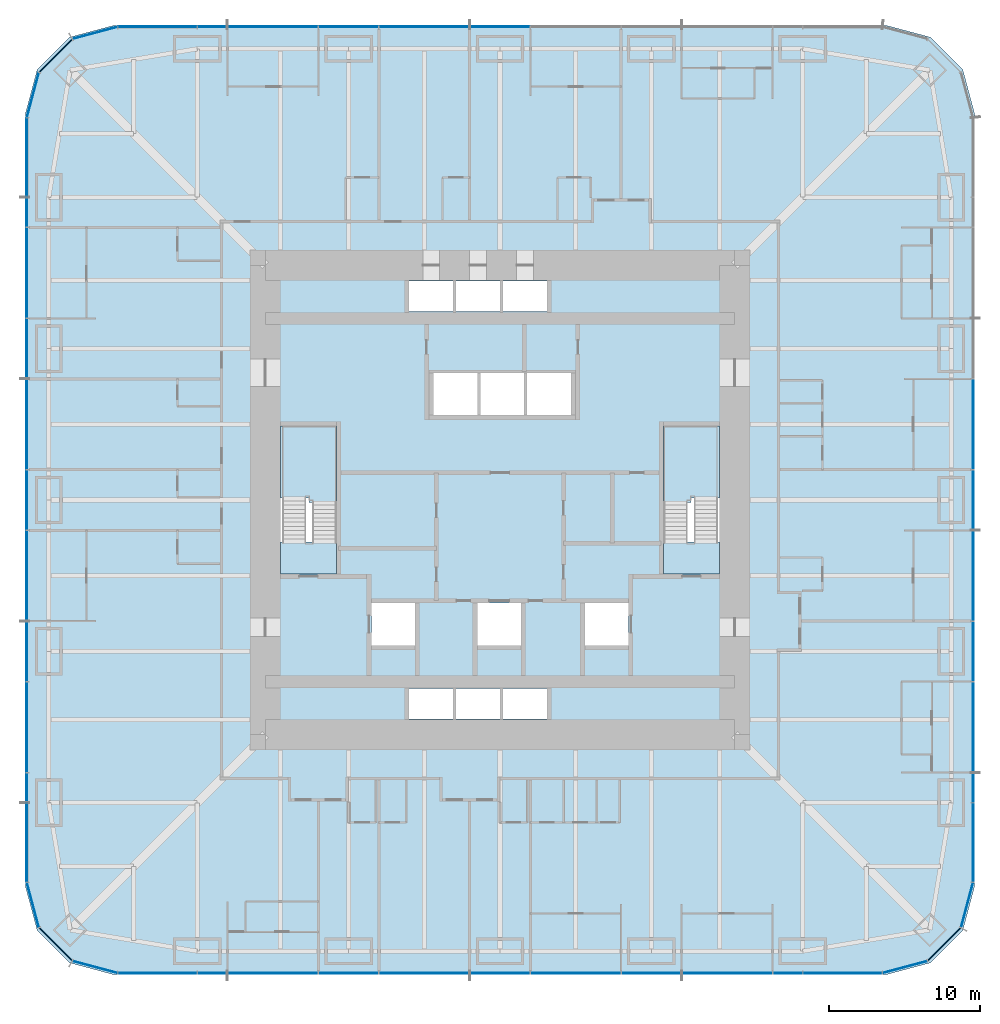
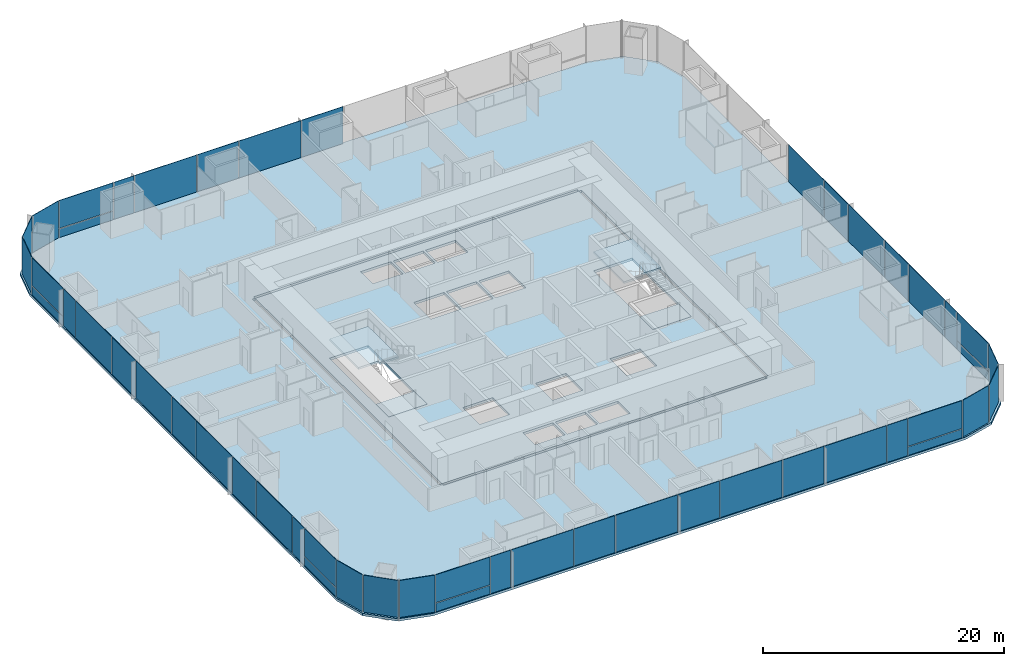
# One storey, part 10 of 16: 50 plates, 6 slabs, 9 elements without a shape of their own.
"""IFC4 building model written with IfcOpenShell, lengths in metres."""

from ifc_helpers import new_model, si_unit, direction, frame, origin, origin_2d, place, context, subcontext, project, spatial, polyline, rectangle, outline, extrude, material, layer, layer_set, type_object, element, aggregate, save


model = new_model("IFC4")

# Units and contexts
model_context = context("Model", 3, precision=1e-05, world=origin(), true_north=direction((0.0, 1.0)))
body_context = subcontext(model_context, "Body", "Model", "MODEL_VIEW")
ifc_project = project(units=[si_unit("LENGTHUNIT", "METRE"), si_unit("AREAUNIT", "SQUARE_METRE"), si_unit("VOLUMEUNIT", "CUBIC_METRE"), si_unit("PLANEANGLEUNIT", "RADIAN"), si_unit("MASSUNIT", "GRAM", prefix="KILO")], contexts=[model_context])

# Site, building, storey
site_placement = place(None, origin())
site = spatial("IfcSite", under=ifc_project, at=site_placement, CompositionType="ELEMENT")
building_placement = place(site_placement, origin())
building = spatial("IfcBuilding", under=site, at=building_placement, Name="Khuree Lantern Residences", CompositionType="ELEMENT")
storey_placement = place(building_placement, frame((0.0, 0.0, 66.0)))
storey = spatial("IfcBuildingStorey", under=building, at=storey_placement, Name="L16", CompositionType="ELEMENT", Elevation=66.0)

# Slab
ifc_material_1 = material(Name="Concrete C35/45", Category="concrete")
ifc_layer_1 = layer(ifc_material_1, 0.25)
ifc_layer_set_1 = layer_set([ifc_layer_1], Name="CFL250 CORE FLOOR SLAB 250")
slab_type_1 = type_object("IfcSlabType", Name="CFL250 CORE FLOOR SLAB 250", PredefinedType="FLOOR", material=ifc_layer_set_1)
slab_1_placement = place(storey_placement, frame((0.0, 0.0, -0.25)))
element("IfcSlab", 1, at=slab_1_placement, inside=storey, type_object=slab_type_1, Name="Core floor L16", PredefinedType="FLOOR", context=body_context, shape_type="SweptSolid", body=[
    extrude(outline(polyline([(-15.5, -15.5), (-15.5, 15.5), (15.5, 15.5), (15.5, -15.5), (-15.5, -15.5)]), holes=[polyline([(14.5, 4.89990234375), (10.800048828125, 4.89990234375), (10.800048828125, -4.89990234375), (14.5, -4.89990234375), (14.5, 4.89990234375)]), polyline([(8.5, -6.800048828125), (5.60009765625, -6.800048828125), (5.60009765625, -9.60009765625), (8.5, -9.60009765625), (8.5, -6.800048828125)]), polyline([(4.699951171875, 8.39990234375), (1.800048828125, 8.39990234375), (1.800048828125, 5.60009765625), (4.699951171875, 5.60009765625), (4.699951171875, 8.39990234375)]), polyline([(0.199951171875, -12.449951171875), (0.199951171875, -14.449951171875), (3.10009765625, -14.449951171875), (3.10009765625, -12.449951171875), (0.199951171875, -12.449951171875)]), polyline([(3.10009765625, 14.449951171875), (0.199951171875, 14.449951171875), (0.199951171875, 12.449951171875), (3.10009765625, 12.449951171875), (3.10009765625, 14.449951171875)]), polyline([(1.60009765625, 8.39990234375), (-1.300048828125, 8.39990234375), (-1.300048828125, 5.60009765625), (1.60009765625, 5.60009765625), (1.60009765625, 8.39990234375)]), polyline([(1.39990234375, -6.800048828125), (-1.5, -6.800048828125), (-1.5, -9.60009765625), (1.39990234375, -9.60009765625), (1.39990234375, -6.800048828125)]), polyline([(0.0, -12.449951171875), (-2.89990234375, -12.449951171875), (-2.89990234375, -14.449951171875), (0.0, -14.449951171875), (0.0, -12.449951171875)]), polyline([(0.0, 14.449951171875), (-2.89990234375, 14.449951171875), (-2.89990234375, 12.449951171875), (0.0, 12.449951171875), (0.0, 14.449951171875)]), polyline([(-1.5, 8.39990234375), (-4.39990234375, 8.39990234375), (-4.39990234375, 5.60009765625), (-1.5, 5.60009765625), (-1.5, 8.39990234375)]), polyline([(-6.0, -12.449951171875), (-6.0, -14.449951171875), (-3.10009765625, -14.449951171875), (-3.10009765625, -12.449951171875), (-6.0, -12.449951171875)]), polyline([(-3.10009765625, 14.449951171875), (-6.0, 14.449951171875), (-6.0, 12.449951171875), (-3.10009765625, 12.449951171875), (-3.10009765625, 14.449951171875)]), polyline([(-5.60009765625, -6.800048828125), (-8.5, -6.800048828125), (-8.5, -9.60009765625), (-5.60009765625, -9.60009765625), (-5.60009765625, -6.800048828125)]), polyline([(-10.800048828125, 4.89990234375), (-14.5, 4.89990234375), (-14.5, -4.89990234375), (-10.800048828125, -4.89990234375), (-10.800048828125, 4.89990234375)])]), origin(), (0.0, 0.0, 1.0), 0.25),
])

# Curtain wall, plates
ifc_material_2 = material(Name="Bronze anodised aluminium", Category="aluminium")
curtain_wall_type_1 = type_object("IfcCurtainWallType", Name="CW-T2 TOWER CORNER CURTAIN WALL", PredefinedType="USERDEFINED", material=ifc_material_2)
curtain_wall_1_placement = place(storey_placement, origin())
curtain_wall_1 = element("IfcCurtainWall", 2, at=curtain_wall_1_placement, inside=storey, type_object=curtain_wall_type_1, Name="L16 SOUTH-EAST CORNER CURTAIN WALL", ObjectType="Faceted corner curtain wall", PredefinedType="USERDEFINED")
ifc_material_3 = material(Name="Bronze tinted triple glazing", Category="glass")
ifc_layer_2 = layer(ifc_material_3, 0.048095703125)
ifc_layer_set_2 = layer_set([ifc_layer_2], Name="FACET PANEL P4")
plate_type_1 = type_object("IfcPlateType", Name="FACET PANEL P4", PredefinedType="CURTAIN_PANEL", material=ifc_layer_set_2)
plate_1_placement = place(storey_placement, frame((26.748046875, -30.8486328125, 0.0), z_axis=(0.0, 0.0, 1.0), x_axis=(0.965925792265, 0.258819172081, 0.0)))
plate_1 = element("IfcPlate", 3, at=plate_1_placement, type_object=plate_type_1, Name="L16 SOUTH-EAST CORNER PANEL 1.1", PredefinedType="CURTAIN_PANEL", context=body_context, shape_type="SweptSolid", body=[
    extrude(rectangle(XDim=3.02978515625, YDim=0.048095703125, at=origin_2d()), origin(), (0.0, 0.0, 1.0), 3.75),
])
plate_2_placement = place(storey_placement, frame((29.34814453125, -29.34814453125, 0.0), z_axis=(0.0, 0.0, 1.0), x_axis=(0.707106781187, 0.707106781187, 0.0)))
plate_2 = element("IfcPlate", 4, at=plate_2_placement, type_object=plate_type_1, Name="L16 SOUTH-EAST CORNER PANEL 2.1", PredefinedType="CURTAIN_PANEL", context=body_context, shape_type="SweptSolid", body=[
    extrude(rectangle(XDim=3.025634765625, YDim=0.048095703125, at=origin_2d()), origin(), (0.0, 0.0, 1.0), 3.75),
])
plate_3_placement = place(storey_placement, frame((30.8486328125, -26.748046875, 0.0), z_axis=(0.0, 0.0, 1.0), x_axis=(0.258819172081, 0.965925792265, 0.0)))
plate_3 = element("IfcPlate", 5, at=plate_3_placement, type_object=plate_type_1, Name="L16 SOUTH-EAST CORNER PANEL 3.1", PredefinedType="CURTAIN_PANEL", context=body_context, shape_type="SweptSolid", body=[
    extrude(rectangle(XDim=3.02978515625, YDim=0.048095703125, at=origin_2d()), origin(), (0.0, 0.0, 1.0), 3.75),
])
aggregate(curtain_wall_1, [plate_1, plate_2, plate_3])

curtain_wall_2_placement = place(storey_placement, origin())
curtain_wall_2 = element("IfcCurtainWall", 6, at=curtain_wall_2_placement, inside=storey, type_object=curtain_wall_type_1, Name="L16 NORTH-WEST CORNER CURTAIN WALL", ObjectType="Faceted corner curtain wall", PredefinedType="USERDEFINED")
plate_4_placement = place(storey_placement, frame((-26.748046875, 30.8486328125, 0.0), z_axis=(0.0, 0.0, 1.0), x_axis=(-0.965925792265, -0.258819172081, 0.0)))
plate_4 = element("IfcPlate", 7, at=plate_4_placement, type_object=plate_type_1, Name="L16 NORTH-WEST CORNER PANEL 29.1", PredefinedType="CURTAIN_PANEL", context=body_context, shape_type="SweptSolid", body=[
    extrude(rectangle(XDim=3.02978515625, YDim=0.048095703125, at=origin_2d()), origin(), (0.0, 0.0, 1.0), 3.75),
])
plate_5_placement = place(storey_placement, frame((-29.34814453125, 29.34814453125, 0.0), z_axis=(0.0, 0.0, 1.0), x_axis=(-0.707106781187, -0.707106781187, 0.0)))
plate_5 = element("IfcPlate", 8, at=plate_5_placement, type_object=plate_type_1, Name="L16 NORTH-WEST CORNER PANEL 30.1", PredefinedType="CURTAIN_PANEL", context=body_context, shape_type="SweptSolid", body=[
    extrude(rectangle(XDim=3.025634765625, YDim=0.048095703125, at=origin_2d()), origin(), (0.0, 0.0, 1.0), 3.75),
])
plate_6_placement = place(storey_placement, frame((-30.8486328125, 26.748046875, 0.0), z_axis=(0.0, 0.0, 1.0), x_axis=(-0.258819172081, -0.965925792265, 0.0)))
plate_6 = element("IfcPlate", 9, at=plate_6_placement, type_object=plate_type_1, Name="L16 NORTH-WEST CORNER PANEL 31.1", PredefinedType="CURTAIN_PANEL", context=body_context, shape_type="SweptSolid", body=[
    extrude(rectangle(XDim=3.02978515625, YDim=0.048095703125, at=origin_2d()), origin(), (0.0, 0.0, 1.0), 3.75),
])
aggregate(curtain_wall_2, [plate_4, plate_5, plate_6])

curtain_wall_3_placement = place(storey_placement, origin())
curtain_wall_3 = element("IfcCurtainWall", 10, at=curtain_wall_3_placement, inside=storey, type_object=curtain_wall_type_1, Name="L16 SOUTH-WEST CORNER CURTAIN WALL", ObjectType="Faceted corner curtain wall", PredefinedType="USERDEFINED")
plate_7_placement = place(storey_placement, frame((-30.8486328125, -26.748046875, 0.0), z_axis=(0.0, 0.0, 1.0), x_axis=(0.258819172081, -0.965925792265, 0.0)))
plate_7 = element("IfcPlate", 11, at=plate_7_placement, type_object=plate_type_1, Name="L16 SOUTH-WEST CORNER PANEL 43.1", PredefinedType="CURTAIN_PANEL", context=body_context, shape_type="SweptSolid", body=[
    extrude(rectangle(XDim=3.02978515625, YDim=0.048095703125, at=origin_2d()), origin(), (0.0, 0.0, 1.0), 3.75),
])
plate_8_placement = place(storey_placement, frame((-29.34814453125, -29.34814453125, 0.0), z_axis=(0.0, 0.0, 1.0), x_axis=(0.707106781187, -0.707106781187, 0.0)))
plate_8 = element("IfcPlate", 12, at=plate_8_placement, type_object=plate_type_1, Name="L16 SOUTH-WEST CORNER PANEL 44.1", PredefinedType="CURTAIN_PANEL", context=body_context, shape_type="SweptSolid", body=[
    extrude(rectangle(XDim=3.025634765625, YDim=0.048095703125, at=origin_2d()), origin(), (0.0, 0.0, 1.0), 3.75),
])
plate_9_placement = place(storey_placement, frame((-26.748046875, -30.8486328125, 0.0), z_axis=(0.0, 0.0, 1.0), x_axis=(0.965925792265, -0.258819172081, 0.0)))
plate_9 = element("IfcPlate", 13, at=plate_9_placement, type_object=plate_type_1, Name="L16 SOUTH-WEST CORNER PANEL 45.1", PredefinedType="CURTAIN_PANEL", context=body_context, shape_type="SweptSolid", body=[
    extrude(rectangle(XDim=3.02978515625, YDim=0.048095703125, at=origin_2d()), origin(), (0.0, 0.0, 1.0), 3.75),
])
aggregate(curtain_wall_3, [plate_7, plate_8, plate_9])

curtain_wall_type_2 = type_object("IfcCurtainWallType", Name="CW-T1 TOWER FACE CURTAIN WALL", PredefinedType="USERDEFINED", material=ifc_material_2)
curtain_wall_4_placement = place(storey_placement, origin())
curtain_wall_4 = element("IfcCurtainWall", 14, at=curtain_wall_4_placement, inside=storey, type_object=curtain_wall_type_2, Name="L16 EAST FACE CURTAIN WALL", ObjectType="Stick-built curtain wall", PredefinedType="USERDEFINED")
ifc_material_4 = material(Name="Bronze tinted triple glazing with a ceramic-fritted spandrel band", Category="glass")
ifc_layer_3 = layer(ifc_material_4, 0.048095703125)
ifc_layer_set_3 = layer_set([ifc_layer_3], Name="FIXED LIGHT PANEL P11")
plate_type_2 = type_object("IfcPlateType", Name="FIXED LIGHT PANEL P11", PredefinedType="CURTAIN_PANEL", material=ifc_layer_set_3)
plate_10_placement = place(storey_placement, frame((31.25, -15.0, 0.0), z_axis=(0.0, 0.0, 1.0), x_axis=(0.0, 1.0, 0.0)))
plate_10 = element("IfcPlate", 15, at=plate_10_placement, type_object=plate_type_2, Name="L16 EAST FACE PANEL 6.1", PredefinedType="CURTAIN_PANEL", context=body_context, shape_type="SweptSolid", body=[
    extrude(rectangle(XDim=5.93505859375, YDim=0.048095703125, at=origin_2d()), origin(), (0.0, 0.0, 1.0), 3.75),
])
plate_11_placement = place(storey_placement, frame((31.25, -5.0, 0.0), z_axis=(0.0, 0.0, 1.0), x_axis=(0.0, 1.0, 0.0)))
plate_11 = element("IfcPlate", 16, at=plate_11_placement, type_object=plate_type_2, Name="L16 EAST FACE PANEL 8.1", PredefinedType="CURTAIN_PANEL", context=body_context, shape_type="SweptSolid", body=[
    extrude(rectangle(XDim=5.93505859375, YDim=0.048095703125, at=origin_2d()), origin(), (0.0, 0.0, 1.0), 3.75),
])
plate_12_placement = place(storey_placement, frame((31.25, 5.0, 0.0), z_axis=(0.0, 0.0, 1.0), x_axis=(0.0, 1.0, 0.0)))
plate_12 = element("IfcPlate", 17, at=plate_12_placement, type_object=plate_type_2, Name="L16 EAST FACE PANEL 10.1", PredefinedType="CURTAIN_PANEL", context=body_context, shape_type="SweptSolid", body=[
    extrude(rectangle(XDim=5.93505859375, YDim=0.048095703125, at=origin_2d()), origin(), (0.0, 0.0, 1.0), 3.75),
])

curtain_wall_5_placement = place(storey_placement, origin())
curtain_wall_5 = element("IfcCurtainWall", 18, at=curtain_wall_5_placement, inside=storey, type_object=curtain_wall_type_2, Name="L16 NORTH FACE CURTAIN WALL", ObjectType="Stick-built curtain wall", PredefinedType="USERDEFINED")
plate_13_placement = place(storey_placement, frame((-5.0, 31.25, 0.0), z_axis=(0.0, 0.0, 1.0), x_axis=(-1.0, 0.0, 0.0)))
plate_13 = element("IfcPlate", 19, at=plate_13_placement, type_object=plate_type_2, Name="L16 NORTH FACE PANEL 24.1", PredefinedType="CURTAIN_PANEL", context=body_context, shape_type="SweptSolid", body=[
    extrude(rectangle(XDim=5.93505859375, YDim=0.048095703125, at=origin_2d()), origin(), (0.0, 0.0, 1.0), 3.75),
])
plate_14_placement = place(storey_placement, frame((-15.0, 31.25, 0.0), z_axis=(0.0, 0.0, 1.0), x_axis=(-1.0, 0.0, 0.0)))
plate_14 = element("IfcPlate", 20, at=plate_14_placement, type_object=plate_type_2, Name="L16 NORTH FACE PANEL 26.1", PredefinedType="CURTAIN_PANEL", context=body_context, shape_type="SweptSolid", body=[
    extrude(rectangle(XDim=5.93505859375, YDim=0.048095703125, at=origin_2d()), origin(), (0.0, 0.0, 1.0), 3.75),
])

curtain_wall_6_placement = place(storey_placement, origin())
curtain_wall_6 = element("IfcCurtainWall", 21, at=curtain_wall_6_placement, inside=storey, type_object=curtain_wall_type_2, Name="L16 WEST FACE CURTAIN WALL", ObjectType="Stick-built curtain wall", PredefinedType="USERDEFINED")
plate_15_placement = place(storey_placement, frame((-31.25, 15.0, 0.0), z_axis=(0.0, 0.0, 1.0), x_axis=(0.0, -1.0, 0.0)))
plate_15 = element("IfcPlate", 22, at=plate_15_placement, type_object=plate_type_2, Name="L16 WEST FACE PANEL 34.1", PredefinedType="CURTAIN_PANEL", context=body_context, shape_type="SweptSolid", body=[
    extrude(rectangle(XDim=5.93505859375, YDim=0.048095703125, at=origin_2d()), origin(), (0.0, 0.0, 1.0), 3.75),
])
plate_16_placement = place(storey_placement, frame((-31.25, 5.0, 0.0), z_axis=(0.0, 0.0, 1.0), x_axis=(0.0, -1.0, 0.0)))
plate_16 = element("IfcPlate", 23, at=plate_16_placement, type_object=plate_type_2, Name="L16 WEST FACE PANEL 36.1", PredefinedType="CURTAIN_PANEL", context=body_context, shape_type="SweptSolid", body=[
    extrude(rectangle(XDim=5.93505859375, YDim=0.048095703125, at=origin_2d()), origin(), (0.0, 0.0, 1.0), 3.75),
])
plate_17_placement = place(storey_placement, frame((-31.25, -5.0, 0.0), z_axis=(0.0, 0.0, 1.0), x_axis=(0.0, -1.0, 0.0)))
plate_17 = element("IfcPlate", 24, at=plate_17_placement, type_object=plate_type_2, Name="L16 WEST FACE PANEL 38.1", PredefinedType="CURTAIN_PANEL", context=body_context, shape_type="SweptSolid", body=[
    extrude(rectangle(XDim=5.93505859375, YDim=0.048095703125, at=origin_2d()), origin(), (0.0, 0.0, 1.0), 3.75),
])
plate_18_placement = place(storey_placement, frame((-31.25, -15.0, 0.0), z_axis=(0.0, 0.0, 1.0), x_axis=(0.0, -1.0, 0.0)))
plate_18 = element("IfcPlate", 25, at=plate_18_placement, type_object=plate_type_2, Name="L16 WEST FACE PANEL 40.1", PredefinedType="CURTAIN_PANEL", context=body_context, shape_type="SweptSolid", body=[
    extrude(rectangle(XDim=5.93505859375, YDim=0.048095703125, at=origin_2d()), origin(), (0.0, 0.0, 1.0), 3.75),
])

curtain_wall_7_placement = place(storey_placement, origin())
curtain_wall_7 = element("IfcCurtainWall", 26, at=curtain_wall_7_placement, inside=storey, type_object=curtain_wall_type_2, Name="L16 SOUTH FACE CURTAIN WALL", ObjectType="Stick-built curtain wall", PredefinedType="USERDEFINED")
plate_19_placement = place(storey_placement, frame((-15.0, -31.25, 0.0), z_axis=(0.0, 0.0, 1.0), x_axis=(1.0, 0.0, 0.0)))
plate_19 = element("IfcPlate", 27, at=plate_19_placement, type_object=plate_type_2, Name="L16 SOUTH FACE PANEL 48.1", PredefinedType="CURTAIN_PANEL", context=body_context, shape_type="SweptSolid", body=[
    extrude(rectangle(XDim=5.93505859375, YDim=0.048095703125, at=origin_2d()), origin(), (0.0, 0.0, 1.0), 3.75),
])
plate_20_placement = place(storey_placement, frame((-5.0, -31.25, 0.0), z_axis=(0.0, 0.0, 1.0), x_axis=(1.0, 0.0, 0.0)))
plate_20 = element("IfcPlate", 28, at=plate_20_placement, type_object=plate_type_2, Name="L16 SOUTH FACE PANEL 50.1", PredefinedType="CURTAIN_PANEL", context=body_context, shape_type="SweptSolid", body=[
    extrude(rectangle(XDim=5.93505859375, YDim=0.048095703125, at=origin_2d()), origin(), (0.0, 0.0, 1.0), 3.75),
])
plate_21_placement = place(storey_placement, frame((5.0, -31.25, 0.0), z_axis=(0.0, 0.0, 1.0), x_axis=(1.0, 0.0, 0.0)))
plate_21 = element("IfcPlate", 29, at=plate_21_placement, type_object=plate_type_2, Name="L16 SOUTH FACE PANEL 52.1", PredefinedType="CURTAIN_PANEL", context=body_context, shape_type="SweptSolid", body=[
    extrude(rectangle(XDim=5.93505859375, YDim=0.048095703125, at=origin_2d()), origin(), (0.0, 0.0, 1.0), 3.75),
])
plate_22_placement = place(storey_placement, frame((15.0, -31.25, 0.0), z_axis=(0.0, 0.0, 1.0), x_axis=(1.0, 0.0, 0.0)))
plate_22 = element("IfcPlate", 30, at=plate_22_placement, type_object=plate_type_2, Name="L16 SOUTH FACE PANEL 54.1", PredefinedType="CURTAIN_PANEL", context=body_context, shape_type="SweptSolid", body=[
    extrude(rectangle(XDim=5.93505859375, YDim=0.048095703125, at=origin_2d()), origin(), (0.0, 0.0, 1.0), 3.75),
])

# Slab
ifc_layer_4 = layer(ifc_material_1, 0.25)
ifc_layer_set_4 = layer_set([ifc_layer_4], Name="FS250 FLOOR SLAB 250")
slab_type_2 = type_object("IfcSlabType", Name="FS250 FLOOR SLAB 250", PredefinedType="FLOOR", material=ifc_layer_set_4)
slab_2_placement = place(storey_placement, frame((0.0, 0.0, -0.25)))
element("IfcSlab", 31, at=slab_2_placement, inside=storey, type_object=slab_type_2, Name="Floor slab L16", PredefinedType="FLOOR", context=body_context, shape_type="SweptSolid", body=[
    extrude(outline(polyline([(-28.425048828125, -30.566162109375), (-30.566162109375, -28.425048828125), (-31.35009765625, -25.5), (-31.35009765625, 25.5), (-30.566162109375, 28.425048828125), (-28.425048828125, 30.566162109375), (-25.5, 31.35009765625), (25.5, 31.35009765625), (28.425048828125, 30.566162109375), (30.566162109375, 28.425048828125), (31.35009765625, 25.5), (31.35009765625, -25.5), (30.566162109375, -28.425048828125), (28.425048828125, -30.566162109375), (25.5, -31.35009765625), (-25.5, -31.35009765625), (-28.425048828125, -30.566162109375)]), holes=[polyline([(15.75, 15.5), (15.5, 15.5), (15.5, 15.75), (-15.5, 15.75), (-15.5, 15.5), (-15.75, 15.5), (-15.75, -15.5), (-15.5, -15.5), (-15.5, -15.75), (15.5, -15.75), (15.5, -15.5), (15.75, -15.5), (15.75, 15.5)])]), origin(), (0.0, 0.0, 1.0), 0.25),
])

# Plate
ifc_material_5 = material(Name="Bronze tinted triple glazing, two aluminium-framed sashes in one frame", Category="aluminium")
ifc_layer_5 = layer(ifc_material_5, 0.048095703125)
ifc_layer_set_5 = layer_set([ifc_layer_5], Name="SASH PAIR PANEL P12")
plate_type_3 = type_object("IfcPlateType", Name="SASH PAIR PANEL P12", PredefinedType="CURTAIN_PANEL", material=ifc_layer_set_5)
plate_23_placement = place(storey_placement, frame((31.25, -10.0, 0.0), z_axis=(0.0, 0.0, 1.0), x_axis=(0.0, 1.0, 0.0)))
plate_23 = element("IfcPlate", 32, at=plate_23_placement, type_object=plate_type_3, Name="L16 EAST FACE PANEL 7.1", PredefinedType="CURTAIN_PANEL", context=body_context, shape_type="SweptSolid", body=[
    extrude(rectangle(XDim=3.93505859375, YDim=0.048095703125, at=origin_2d()), origin(), (0.0, 0.0, 1.0), 3.75),
])

plate_24_placement = place(storey_placement, frame((31.25, 0.0, 0.0), z_axis=(0.0, 0.0, 1.0), x_axis=(0.0, 1.0, 0.0)))
plate_24 = element("IfcPlate", 33, at=plate_24_placement, type_object=plate_type_3, Name="L16 EAST FACE PANEL 9.1", PredefinedType="CURTAIN_PANEL", context=body_context, shape_type="SweptSolid", body=[
    extrude(rectangle(XDim=3.93505859375, YDim=0.048095703125, at=origin_2d()), origin(), (0.0, 0.0, 1.0), 3.75),
])

plate_25_placement = place(storey_placement, frame((0.0, 31.25, 0.0), z_axis=(0.0, 0.0, 1.0), x_axis=(-1.0, 0.0, 0.0)))
plate_25 = element("IfcPlate", 34, at=plate_25_placement, type_object=plate_type_3, Name="L16 NORTH FACE PANEL 23.1", PredefinedType="CURTAIN_PANEL", context=body_context, shape_type="SweptSolid", body=[
    extrude(rectangle(XDim=3.93505859375, YDim=0.048095703125, at=origin_2d()), origin(), (0.0, 0.0, 1.0), 3.75),
])

plate_26_placement = place(storey_placement, frame((-10.0, 31.25, 0.0), z_axis=(0.0, 0.0, 1.0), x_axis=(-1.0, 0.0, 0.0)))
plate_26 = element("IfcPlate", 35, at=plate_26_placement, type_object=plate_type_3, Name="L16 NORTH FACE PANEL 25.1", PredefinedType="CURTAIN_PANEL", context=body_context, shape_type="SweptSolid", body=[
    extrude(rectangle(XDim=3.93505859375, YDim=0.048095703125, at=origin_2d()), origin(), (0.0, 0.0, 1.0), 3.75),
])

plate_27_placement = place(storey_placement, frame((-31.25, 10.0, 0.0), z_axis=(0.0, 0.0, 1.0), x_axis=(0.0, -1.0, 0.0)))
plate_27 = element("IfcPlate", 36, at=plate_27_placement, type_object=plate_type_3, Name="L16 WEST FACE PANEL 35.1", PredefinedType="CURTAIN_PANEL", context=body_context, shape_type="SweptSolid", body=[
    extrude(rectangle(XDim=3.93505859375, YDim=0.048095703125, at=origin_2d()), origin(), (0.0, 0.0, 1.0), 3.75),
])

plate_28_placement = place(storey_placement, frame((-31.25, 0.0, 0.0), z_axis=(0.0, 0.0, 1.0), x_axis=(0.0, -1.0, 0.0)))
plate_28 = element("IfcPlate", 37, at=plate_28_placement, type_object=plate_type_3, Name="L16 WEST FACE PANEL 37.1", PredefinedType="CURTAIN_PANEL", context=body_context, shape_type="SweptSolid", body=[
    extrude(rectangle(XDim=3.93505859375, YDim=0.048095703125, at=origin_2d()), origin(), (0.0, 0.0, 1.0), 3.75),
])

plate_29_placement = place(storey_placement, frame((-31.25, -10.0, 0.0), z_axis=(0.0, 0.0, 1.0), x_axis=(0.0, -1.0, 0.0)))
plate_29 = element("IfcPlate", 38, at=plate_29_placement, type_object=plate_type_3, Name="L16 WEST FACE PANEL 39.1", PredefinedType="CURTAIN_PANEL", context=body_context, shape_type="SweptSolid", body=[
    extrude(rectangle(XDim=3.93505859375, YDim=0.048095703125, at=origin_2d()), origin(), (0.0, 0.0, 1.0), 3.75),
])

plate_30_placement = place(storey_placement, frame((-10.0, -31.25, 0.0), z_axis=(0.0, 0.0, 1.0), x_axis=(1.0, 0.0, 0.0)))
plate_30 = element("IfcPlate", 39, at=plate_30_placement, type_object=plate_type_3, Name="L16 SOUTH FACE PANEL 49.1", PredefinedType="CURTAIN_PANEL", context=body_context, shape_type="SweptSolid", body=[
    extrude(rectangle(XDim=3.93505859375, YDim=0.048095703125, at=origin_2d()), origin(), (0.0, 0.0, 1.0), 3.75),
])

plate_31_placement = place(storey_placement, frame((0.0, -31.25, 0.0), z_axis=(0.0, 0.0, 1.0), x_axis=(1.0, 0.0, 0.0)))
plate_31 = element("IfcPlate", 40, at=plate_31_placement, type_object=plate_type_3, Name="L16 SOUTH FACE PANEL 51.1", PredefinedType="CURTAIN_PANEL", context=body_context, shape_type="SweptSolid", body=[
    extrude(rectangle(XDim=3.93505859375, YDim=0.048095703125, at=origin_2d()), origin(), (0.0, 0.0, 1.0), 3.75),
])

plate_32_placement = place(storey_placement, frame((10.0, -31.25, 0.0), z_axis=(0.0, 0.0, 1.0), x_axis=(1.0, 0.0, 0.0)))
plate_32 = element("IfcPlate", 41, at=plate_32_placement, type_object=plate_type_3, Name="L16 SOUTH FACE PANEL 53.1", PredefinedType="CURTAIN_PANEL", context=body_context, shape_type="SweptSolid", body=[
    extrude(rectangle(XDim=3.93505859375, YDim=0.048095703125, at=origin_2d()), origin(), (0.0, 0.0, 1.0), 3.75),
])

ifc_material_6 = material(Name="Bronze tinted triple glazing, aluminium-framed sash", Category="aluminium")
ifc_layer_6 = layer(ifc_material_6, 0.048095703125)
ifc_layer_set_6 = layer_set([ifc_layer_6], Name="SASH PANEL P3")
plate_type_4 = type_object("IfcPlateType", Name="SASH PANEL P3", PredefinedType="CURTAIN_PANEL", material=ifc_layer_set_6)
plate_33_placement = place(storey_placement, frame((31.25, -19.0, 0.0), z_axis=(0.0, 0.0, 1.0), x_axis=(0.0, 1.0, 0.0)))
plate_33 = element("IfcPlate", 42, at=plate_33_placement, type_object=plate_type_4, Name="L16 EAST FACE PANEL 5.1", PredefinedType="CURTAIN_PANEL", context=body_context, shape_type="SweptSolid", body=[
    extrude(rectangle(XDim=1.93505859375, YDim=0.048095703125, at=origin_2d()), origin(), (0.0, 0.0, 1.0), 3.75),
])

plate_34_placement = place(storey_placement, frame((-19.0, 31.25, 0.0), z_axis=(0.0, 0.0, 1.0), x_axis=(-1.0, 0.0, 0.0)))
plate_34 = element("IfcPlate", 43, at=plate_34_placement, type_object=plate_type_4, Name="L16 NORTH FACE PANEL 27.1", PredefinedType="CURTAIN_PANEL", context=body_context, shape_type="SweptSolid", body=[
    extrude(rectangle(XDim=1.93505859375, YDim=0.048095703125, at=origin_2d()), origin(), (0.0, 0.0, 1.0), 3.75),
])

plate_35_placement = place(storey_placement, frame((-31.25, 19.0, 0.0), z_axis=(0.0, 0.0, 1.0), x_axis=(0.0, -1.0, 0.0)))
plate_35 = element("IfcPlate", 44, at=plate_35_placement, type_object=plate_type_4, Name="L16 WEST FACE PANEL 33.1", PredefinedType="CURTAIN_PANEL", context=body_context, shape_type="SweptSolid", body=[
    extrude(rectangle(XDim=1.93505859375, YDim=0.048095703125, at=origin_2d()), origin(), (0.0, 0.0, 1.0), 3.75),
])

plate_36_placement = place(storey_placement, frame((-31.25, -19.0, 0.0), z_axis=(0.0, 0.0, 1.0), x_axis=(0.0, -1.0, 0.0)))
plate_36 = element("IfcPlate", 45, at=plate_36_placement, type_object=plate_type_4, Name="L16 WEST FACE PANEL 41.1", PredefinedType="CURTAIN_PANEL", context=body_context, shape_type="SweptSolid", body=[
    extrude(rectangle(XDim=1.93505859375, YDim=0.048095703125, at=origin_2d()), origin(), (0.0, 0.0, 1.0), 3.75),
])

plate_37_placement = place(storey_placement, frame((-19.0, -31.25, 0.0), z_axis=(0.0, 0.0, 1.0), x_axis=(1.0, 0.0, 0.0)))
plate_37 = element("IfcPlate", 46, at=plate_37_placement, type_object=plate_type_4, Name="L16 SOUTH FACE PANEL 47.1", PredefinedType="CURTAIN_PANEL", context=body_context, shape_type="SweptSolid", body=[
    extrude(rectangle(XDim=1.93505859375, YDim=0.048095703125, at=origin_2d()), origin(), (0.0, 0.0, 1.0), 3.75),
])

plate_38_placement = place(storey_placement, frame((19.0, -31.25, 0.0), z_axis=(0.0, 0.0, 1.0), x_axis=(1.0, 0.0, 0.0)))
plate_38 = element("IfcPlate", 47, at=plate_38_placement, type_object=plate_type_4, Name="L16 SOUTH FACE PANEL 55.1", PredefinedType="CURTAIN_PANEL", context=body_context, shape_type="SweptSolid", body=[
    extrude(rectangle(XDim=1.93505859375, YDim=0.048095703125, at=origin_2d()), origin(), (0.0, 0.0, 1.0), 3.75),
])

ifc_material_7 = material(Name="Bronze anodised aluminium insulated spandrel", Category="aluminium")
ifc_layer_7 = layer(ifc_material_7, 0.06005859375)
ifc_layer_set_7 = layer_set([ifc_layer_7], Name="SPANDREL PANEL P2")
plate_type_5 = type_object("IfcPlateType", Name="SPANDREL PANEL P2", PredefinedType="CURTAIN_PANEL", material=ifc_layer_set_7)
plate_39_placement = place(storey_placement, frame((31.25, -22.622802734375, 0.0), z_axis=(0.0, 0.0, 1.0), x_axis=(0.0, 1.0, 0.0)))
plate_39 = element("IfcPlate", 48, at=plate_39_placement, type_object=plate_type_5, Name="L16 EAST FACE PANEL 4.1", PredefinedType="CURTAIN_PANEL", context=body_context, shape_type="SweptSolid", body=[
    extrude(rectangle(XDim=5.1806640625, YDim=0.06005859375, at=origin_2d()), origin(), (0.0, 0.0, 1.0), 0.867431640625),
])

plate_40_placement = place(storey_placement, frame((-22.622802734375, 31.25, 0.0), z_axis=(0.0, 0.0, 1.0), x_axis=(-1.0, 0.0, 0.0)))
plate_40 = element("IfcPlate", 49, at=plate_40_placement, type_object=plate_type_5, Name="L16 NORTH FACE PANEL 28.1", PredefinedType="CURTAIN_PANEL", context=body_context, shape_type="SweptSolid", body=[
    extrude(rectangle(XDim=5.1806640625, YDim=0.06005859375, at=origin_2d()), origin(), (0.0, 0.0, 1.0), 0.867431640625),
])

plate_41_placement = place(storey_placement, frame((-31.25, 22.622802734375, 0.0), z_axis=(0.0, 0.0, 1.0), x_axis=(0.0, -1.0, 0.0)))
plate_41 = element("IfcPlate", 50, at=plate_41_placement, type_object=plate_type_5, Name="L16 WEST FACE PANEL 32.1", PredefinedType="CURTAIN_PANEL", context=body_context, shape_type="SweptSolid", body=[
    extrude(rectangle(XDim=5.1806640625, YDim=0.06005859375, at=origin_2d()), origin(), (0.0, 0.0, 1.0), 0.867431640625),
])

plate_42_placement = place(storey_placement, frame((-31.25, -22.622802734375, 0.0), z_axis=(0.0, 0.0, 1.0), x_axis=(0.0, -1.0, 0.0)))
plate_42 = element("IfcPlate", 51, at=plate_42_placement, type_object=plate_type_5, Name="L16 WEST FACE PANEL 42.1", PredefinedType="CURTAIN_PANEL", context=body_context, shape_type="SweptSolid", body=[
    extrude(rectangle(XDim=5.1806640625, YDim=0.06005859375, at=origin_2d()), origin(), (0.0, 0.0, 1.0), 0.867431640625),
])

plate_43_placement = place(storey_placement, frame((-22.622802734375, -31.25, 0.0), z_axis=(0.0, 0.0, 1.0), x_axis=(1.0, 0.0, 0.0)))
plate_43 = element("IfcPlate", 52, at=plate_43_placement, type_object=plate_type_5, Name="L16 SOUTH FACE PANEL 46.1", PredefinedType="CURTAIN_PANEL", context=body_context, shape_type="SweptSolid", body=[
    extrude(rectangle(XDim=5.1806640625, YDim=0.06005859375, at=origin_2d()), origin(), (0.0, 0.0, 1.0), 0.867431640625),
])

plate_44_placement = place(storey_placement, frame((22.622802734375, -31.25, 0.0), z_axis=(0.0, 0.0, 1.0), x_axis=(1.0, 0.0, 0.0)))
plate_44 = element("IfcPlate", 53, at=plate_44_placement, type_object=plate_type_5, Name="L16 SOUTH FACE PANEL 56.1", PredefinedType="CURTAIN_PANEL", context=body_context, shape_type="SweptSolid", body=[
    extrude(rectangle(XDim=5.1806640625, YDim=0.06005859375, at=origin_2d()), origin(), (0.0, 0.0, 1.0), 0.867431640625),
])

# Stair, slabs
ifc_material_8 = material(Name="Concrete C40/50", Category="concrete")
stair_type = type_object("IfcStairType", Name="STAIR ST1 HALF TURN 3600", PredefinedType="HALF_TURN_STAIR", material=ifc_material_8)
stair_1_placement = place(storey_placement, origin())
stair_1 = element("IfcStair", 54, at=stair_1_placement, inside=storey, type_object=stair_type, Name="Stair ST1", PredefinedType="HALF_TURN_STAIR")
ifc_layer_8 = layer(ifc_material_8, 0.199951171875)
ifc_layer_set_8 = layer_set([ifc_layer_8], Name="STAIR LANDING SL1 200")
slab_type_3 = type_object("IfcSlabType", Name="STAIR LANDING SL1 200", PredefinedType="LANDING", material=ifc_layer_set_8)
slab_3_placement = place(storey_placement, frame((0.0, 0.0, -0.199951171875)))
slab_3 = element("IfcSlab", 55, at=slab_3_placement, type_object=slab_type_3, Name="ST1 landing 1", PredefinedType="LANDING", context=body_context, shape_type="SweptSolid", body=[
    extrude(outline(polyline([(-14.5, -4.89990234375), (-10.800048828125, -4.89990234375), (-10.800048828125, -2.760009765625), (-14.5, -2.760009765625), (-14.5, -4.89990234375)])), origin(), (0.0, 0.0, 1.0), 0.199951171875),
])
slab_4_placement = place(storey_placement, frame((0.0, 0.0, 1.756591796875)))
slab_4 = element("IfcSlab", 56, at=slab_4_placement, type_object=slab_type_3, Name="ST1 landing 2", PredefinedType="LANDING", context=body_context, shape_type="SweptSolid", body=[
    extrude(outline(polyline([(-14.5, 0.1201171875), (-14.5, 4.89990234375), (-10.800048828125, 4.89990234375), (-10.800048828125, -0.159912109375), (-12.60009765625, -0.159912109375), (-12.60009765625, 0.1201171875), (-14.5, 0.1201171875)])), origin(), (0.0, 0.0, 1.0), 0.199951171875),
])
aggregate(stair_1, [slab_3, slab_4])

stair_2_placement = place(storey_placement, origin())
stair_2 = element("IfcStair", 57, at=stair_2_placement, inside=storey, type_object=stair_type, Name="Stair ST2", PredefinedType="HALF_TURN_STAIR")
slab_5_placement = place(storey_placement, frame((0.0, 0.0, -0.199951171875)))
slab_5 = element("IfcSlab", 58, at=slab_5_placement, type_object=slab_type_3, Name="ST2 landing 1", PredefinedType="LANDING", context=body_context, shape_type="SweptSolid", body=[
    extrude(outline(polyline([(10.800048828125, -4.89990234375), (14.5, -4.89990234375), (14.5, -2.760009765625), (10.800048828125, -2.760009765625), (10.800048828125, -4.89990234375)])), origin(), (0.0, 0.0, 1.0), 0.199951171875),
])
slab_6_placement = place(storey_placement, frame((0.0, 0.0, 1.756591796875)))
slab_6 = element("IfcSlab", 59, at=slab_6_placement, type_object=slab_type_3, Name="ST2 landing 2", PredefinedType="LANDING", context=body_context, shape_type="SweptSolid", body=[
    extrude(outline(polyline([(14.5, 4.89990234375), (14.5, 0.1201171875), (12.60009765625, 0.1201171875), (12.60009765625, -0.159912109375), (10.800048828125, -0.159912109375), (10.800048828125, 4.89990234375), (14.5, 4.89990234375)])), origin(), (0.0, 0.0, 1.0), 0.199951171875),
])
aggregate(stair_2, [slab_5, slab_6])

# Plate
ifc_layer_9 = layer(ifc_material_3, 0.048095703125)
ifc_layer_set_9 = layer_set([ifc_layer_9], Name="VISION PANEL P1")
plate_type_6 = type_object("IfcPlateType", Name="VISION PANEL P1", PredefinedType="CURTAIN_PANEL", material=ifc_layer_set_9)
plate_45_placement = place(storey_placement, frame((31.25, -22.623291015625, 0.9326171875), z_axis=(0.0, 0.0, 1.0), x_axis=(0.0, 1.0, 0.0)))
plate_45 = element("IfcPlate", 60, at=plate_45_placement, type_object=plate_type_6, Name="L16 EAST FACE PANEL 4.2", PredefinedType="CURTAIN_PANEL", context=body_context, shape_type="SweptSolid", body=[
    extrude(rectangle(XDim=5.181640625, YDim=0.048095703125, at=origin_2d()), origin(), (0.0, 0.0, 1.0), 2.8173828125),
])

aggregate(curtain_wall_4, [plate_39, plate_45, plate_33, plate_10, plate_23, plate_11, plate_24, plate_12])

plate_46_placement = place(storey_placement, frame((-22.623291015625, 31.25, 0.9326171875), z_axis=(0.0, 0.0, 1.0), x_axis=(-1.0, 0.0, 0.0)))
plate_46 = element("IfcPlate", 61, at=plate_46_placement, type_object=plate_type_6, Name="L16 NORTH FACE PANEL 28.2", PredefinedType="CURTAIN_PANEL", context=body_context, shape_type="SweptSolid", body=[
    extrude(rectangle(XDim=5.181640625, YDim=0.048095703125, at=origin_2d()), origin(), (0.0, 0.0, 1.0), 2.8173828125),
])

aggregate(curtain_wall_5, [plate_25, plate_13, plate_26, plate_14, plate_34, plate_40, plate_46])

plate_47_placement = place(storey_placement, frame((-31.25, 22.623291015625, 0.9326171875), z_axis=(0.0, 0.0, 1.0), x_axis=(0.0, -1.0, 0.0)))
plate_47 = element("IfcPlate", 62, at=plate_47_placement, type_object=plate_type_6, Name="L16 WEST FACE PANEL 32.2", PredefinedType="CURTAIN_PANEL", context=body_context, shape_type="SweptSolid", body=[
    extrude(rectangle(XDim=5.181640625, YDim=0.048095703125, at=origin_2d()), origin(), (0.0, 0.0, 1.0), 2.8173828125),
])

plate_48_placement = place(storey_placement, frame((-31.25, -22.623291015625, 0.9326171875), z_axis=(0.0, 0.0, 1.0), x_axis=(0.0, -1.0, 0.0)))
plate_48 = element("IfcPlate", 63, at=plate_48_placement, type_object=plate_type_6, Name="L16 WEST FACE PANEL 42.2", PredefinedType="CURTAIN_PANEL", context=body_context, shape_type="SweptSolid", body=[
    extrude(rectangle(XDim=5.181640625, YDim=0.048095703125, at=origin_2d()), origin(), (0.0, 0.0, 1.0), 2.8173828125),
])

aggregate(curtain_wall_6, [plate_41, plate_47, plate_35, plate_15, plate_27, plate_16, plate_28, plate_17, plate_29, plate_18, plate_36, plate_42, plate_48])

plate_49_placement = place(storey_placement, frame((-22.623291015625, -31.25, 0.9326171875), z_axis=(0.0, 0.0, 1.0), x_axis=(1.0, 0.0, 0.0)))
plate_49 = element("IfcPlate", 64, at=plate_49_placement, type_object=plate_type_6, Name="L16 SOUTH FACE PANEL 46.2", PredefinedType="CURTAIN_PANEL", context=body_context, shape_type="SweptSolid", body=[
    extrude(rectangle(XDim=5.181640625, YDim=0.048095703125, at=origin_2d()), origin(), (0.0, 0.0, 1.0), 2.8173828125),
])

plate_50_placement = place(storey_placement, frame((22.623291015625, -31.25, 0.9326171875), z_axis=(0.0, 0.0, 1.0), x_axis=(1.0, 0.0, 0.0)))
plate_50 = element("IfcPlate", 65, at=plate_50_placement, type_object=plate_type_6, Name="L16 SOUTH FACE PANEL 56.2", PredefinedType="CURTAIN_PANEL", context=body_context, shape_type="SweptSolid", body=[
    extrude(rectangle(XDim=5.181640625, YDim=0.048095703125, at=origin_2d()), origin(), (0.0, 0.0, 1.0), 2.8173828125),
])

aggregate(curtain_wall_7, [plate_43, plate_49, plate_37, plate_19, plate_30, plate_20, plate_31, plate_21, plate_32, plate_22, plate_38, plate_44, plate_50])

save(model, "model.ifc")
